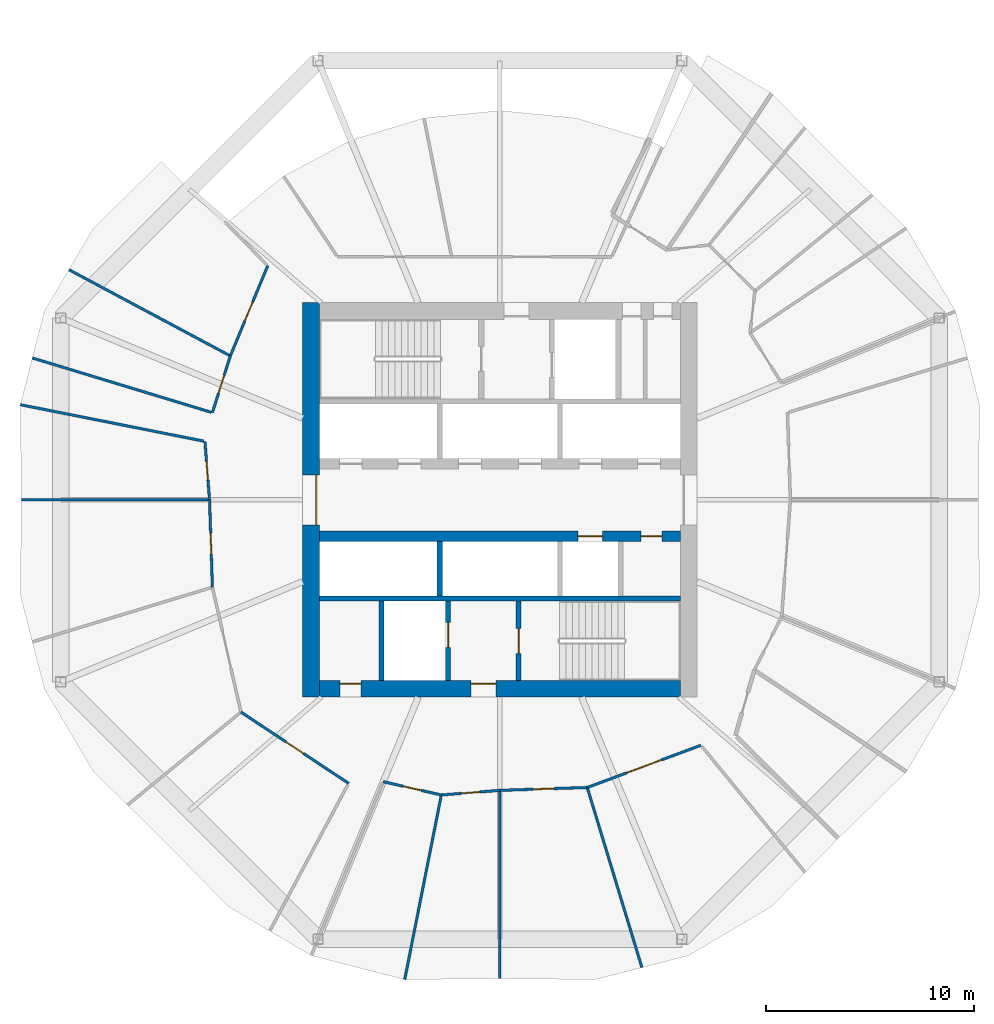
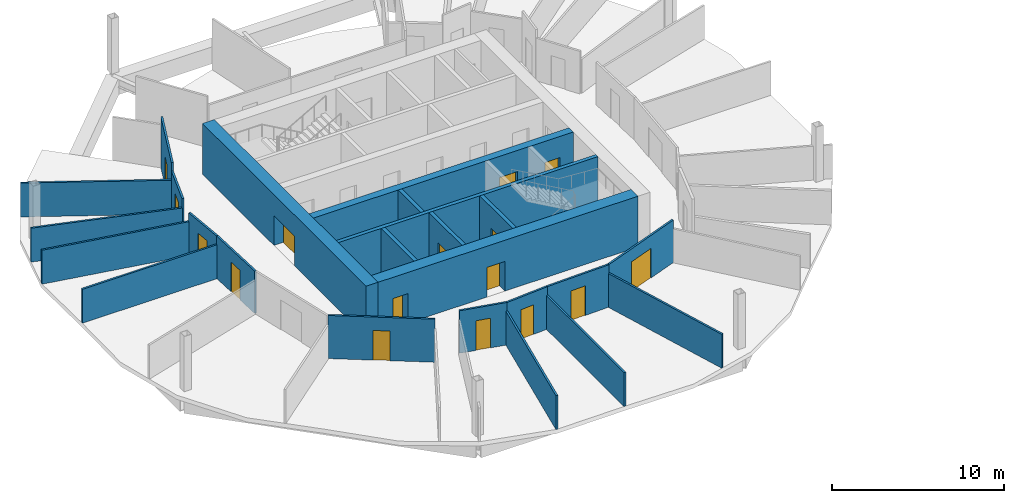
# One storey, part 4 of 10: 24 walls, 16 doors, 16 openings.
"""IFC4 building model written with IfcOpenShell, lengths in metres."""

from ifc_helpers import new_model, si_unit, direction, frame, frame_2d, origin, place, context, subcontext, project, spatial, rectangle, extrude, material, layer, layer_set, type_object, element, fill, save


model = new_model("IFC4")

# Units and contexts
model_context = context("Model", 3, precision=1e-05, world=origin(), true_north=direction((0.0, 1.0)))
body_context = subcontext(model_context, "Body", "Model", "MODEL_VIEW")
ifc_project = project(units=[si_unit("LENGTHUNIT", "METRE"), si_unit("AREAUNIT", "SQUARE_METRE"), si_unit("VOLUMEUNIT", "CUBIC_METRE"), si_unit("PLANEANGLEUNIT", "RADIAN"), si_unit("MASSUNIT", "GRAM", prefix="KILO")], contexts=[model_context])

# Site, building, storey
site_placement = place(None, origin())
site = spatial("IfcSite", under=ifc_project, at=site_placement, CompositionType="ELEMENT")
building_placement = place(site_placement, origin())
building = spatial("IfcBuilding", under=site, at=building_placement, Name="Ogive Gate Towers", CompositionType="ELEMENT")
storey_placement = place(building_placement, frame((0.0, 0.0, 59.699951171875)))
storey = spatial("IfcBuildingStorey", under=building, at=storey_placement, Name="L13", CompositionType="ELEMENT", Elevation=59.699951171875)

# Wall, openings, doors
ifc_material_1 = material(Name="Concrete C60/75", Category="concrete")
ifc_layer_1 = layer(ifc_material_1, 0.800048828125)
ifc_layer_set_1 = layer_set([ifc_layer_1], Name="Core wall 800 mm")
wall_type_1 = type_object("IfcWallType", Name="Core wall 800 mm", PredefinedType="SHEAR", material=ifc_layer_set_1)
wall_1_placement = place(storey_placement, frame((-44.699951171875, -9.10009765625, 0.0), z_axis=(0.0, 0.0, 1.0), x_axis=(1.0, 0.0, 0.0)))
wall_1 = element("IfcWall", 1, at=wall_1_placement, inside=storey, type_object=wall_type_1, Name="T1 L13 Core wall 800 mm", PredefinedType="SHEAR", context=body_context, shape_type="SweptSolid", body=[
    extrude(rectangle(XDim=17.39990234375, YDim=0.800048828125, at=frame_2d((8.699951171875, 0.0))), origin(), (0.0, 0.0, 1.0), 3.60009765625),
])
opening_1_placement = place(wall_1_placement, frame((7.300048828125, 0.0, 0.0)))
opening_1 = element("IfcOpeningElement", 2, at=opening_1_placement, cuts=wall_1, Name="Opening KD-T1-L13-16", PredefinedType="OPENING", context=body_context, shape_type="SweptSolid", body=[
    extrude(rectangle(XDim=1.199951171875, YDim=2.10009765625, at=frame_2d((0.60009765625, 1.050048828125))), frame((0.0, 0.41015625, 0.0), z_axis=(0.0, -1.0, 0.0), x_axis=(1.0, 0.0, 0.0)), (0.0, 0.0, 1.0), 0.820068359375),
])
opening_2_placement = place(wall_1_placement, frame((1.0, 0.0, 0.0)))
opening_2 = element("IfcOpeningElement", 3, at=opening_2_placement, cuts=wall_1, Name="Opening KD-T1-L13-19", PredefinedType="OPENING", context=body_context, shape_type="SweptSolid", body=[
    extrude(rectangle(XDim=1.0, YDim=2.10009765625, at=frame_2d((0.5, 1.050048828125))), frame((0.0, 0.41015625, 0.0), z_axis=(0.0, -1.0, 0.0), x_axis=(1.0, 0.0, 0.0)), (0.0, 0.0, 1.0), 0.820068359375),
])
ifc_material_2 = material(Name="Timber door", Category="wood")
door_type_1 = type_object("IfcDoorType", Name="Accessible WC door 1000 x 2100", OperationType="NOTDEFINED", PredefinedType="DOOR", material=ifc_material_2)
door_1_placement = place(opening_2_placement, origin())
door_1 = element("IfcDoor", 4, at=door_1_placement, inside=storey, type_object=door_type_1, Name="T1 L13 Core door", OperationType="SINGLE_SWING_RIGHT", OverallHeight=2.10009765625, OverallWidth=1.0, PredefinedType="DOOR", context=body_context, shape_type="SweptSolid", body=[
    extrude(rectangle(XDim=1.0, YDim=2.10009765625, at=frame_2d((0.5, 1.050048828125))), frame((0.0, 0.27490234375, 0.0), z_axis=(0.0, -1.0, 0.0), x_axis=(1.0, 0.0, 0.0)), (0.0, 0.0, 1.0), 0.050048828125),
])
fill(opening_2, door_1)
ifc_material_3 = material(Name="Steel fire door", Category="steel")
door_type_2 = type_object("IfcDoorType", Name="Core door FD60S 1200 x 2100", OperationType="NOTDEFINED", PredefinedType="DOOR", material=ifc_material_3)
door_2_placement = place(opening_1_placement, origin())
door_2 = element("IfcDoor", 5, at=door_2_placement, inside=storey, type_object=door_type_2, Name="T1 L13 Fire-fighting lobby door", OperationType="SINGLE_SWING_LEFT", OverallHeight=2.10009765625, OverallWidth=1.199951171875, PredefinedType="DOOR", context=body_context, shape_type="SweptSolid", body=[
    extrude(rectangle(XDim=1.199951171875, YDim=2.10009765625, at=frame_2d((0.60009765625, 1.050048828125))), frame((0.0, 0.27490234375, 0.0), z_axis=(0.0, -1.0, 0.0), x_axis=(1.0, 0.0, 0.0)), (0.0, 0.0, 1.0), 0.050048828125),
])
fill(opening_1, door_2)

# Wall, opening, door
wall_2_placement = place(storey_placement, frame((-45.10009765625, -9.5, 0.0), z_axis=(0.0, 0.0, 1.0), x_axis=(0.0, 1.0, 0.0)))
wall_2 = element("IfcWall", 6, at=wall_2_placement, inside=storey, type_object=wall_type_1, Name="T1 L13 Core wall 800 mm", PredefinedType="SHEAR", context=body_context, shape_type="SweptSolid", body=[
    extrude(rectangle(XDim=19.0, YDim=0.800048828125, at=frame_2d((9.5, 0.0))), origin(), (0.0, 0.0, 1.0), 3.60009765625),
])
opening_3_placement = place(wall_2_placement, frame((8.300048828125, 0.0, 0.0)))
opening_3 = element("IfcOpeningElement", 7, at=opening_3_placement, cuts=wall_2, Name="Opening KD-T1-L13-01", PredefinedType="OPENING", context=body_context, shape_type="SweptSolid", body=[
    extrude(rectangle(XDim=2.39990234375, YDim=2.10009765625, at=frame_2d((1.199951171875, 1.050048828125))), frame((0.0, 0.41015625, 0.0), z_axis=(0.0, -1.0, 0.0), x_axis=(1.0, 0.0, 0.0)), (0.0, 0.0, 1.0), 0.820068359375),
])
door_type_3 = type_object("IfcDoorType", Name="Core double door FD60S 2400 x 2100", OperationType="DOUBLE_DOOR_SINGLE_SWING", PredefinedType="DOOR", material=ifc_material_3)
door_3_placement = place(opening_3_placement, origin())
door_3 = element("IfcDoor", 8, at=door_3_placement, inside=storey, type_object=door_type_3, Name="T1 L13 Core door double", OperationType="DOUBLE_DOOR_SINGLE_SWING", OverallHeight=2.10009765625, OverallWidth=2.39990234375, PredefinedType="DOOR", context=body_context, shape_type="SweptSolid", body=[
    extrude(rectangle(XDim=2.39990234375, YDim=2.10009765625, at=frame_2d((1.199951171875, 1.050048828125))), frame((0.0, -0.22509765625, 0.0), z_axis=(0.0, -1.0, 0.0), x_axis=(1.0, 0.0, 0.0)), (0.0, 0.0, 1.0), 0.050048828125),
])
fill(opening_3, door_3)

# Walls
ifc_material_4 = material(Name="Gypsum board partition")
ifc_layer_2 = layer(ifc_material_4, 0.125)
ifc_layer_set_2 = layer_set([ifc_layer_2], Name="Partition 125")
wall_type_2 = type_object("IfcWallType", Name="Partition 125", PredefinedType="PARTITIONING", material=ifc_layer_set_2)
wall_3_placement = place(storey_placement, frame((-56.767578125, 11.09375, 0.0), z_axis=(0.0, 0.0, 1.0), x_axis=(0.882040161842, -0.471174227753, 0.0)))
element("IfcWall", 9, at=wall_3_placement, inside=storey, type_object=wall_type_2, Name="Partition T1-L13-013", PredefinedType="PARTITIONING", context=body_context, shape_type="SweptSolid", body=[
    extrude(rectangle(XDim=8.75634765625, YDim=0.125, at=frame_2d((4.378173828125, 0.0))), origin(), (0.0, 0.0, 1.0), 2.400146484375),
])
for number, where, z_axis, x_axis, name in (
    (10, (-58.529541015625, 6.840576171875, 0.0), (0.0, 0.0, 1.0), (0.956863756585, -0.290537005102, 0.0), "Partition T1-L13-014"),
    (11, (-59.1083984375, 4.5888671875, 0.0), (0.0, 0.0, 1.0), (0.980849776387, -0.194765798235, 0.0), "Partition T1-L13-015"),
):
    element("IfcWall", number, at=place(storey_placement, frame(where, z_axis=z_axis, x_axis=x_axis)), inside=storey, type_object=wall_type_2, Name=name, PredefinedType="PARTITIONING", context=body_context, shape_type="SweptSolid", body=[
        extrude(rectangle(XDim=9.00634765625, YDim=0.125, at=frame_2d((4.503173828125, 0.0))), origin(), (0.0, 0.0, 1.0), 2.400146484375),
    ])
wall_4_placement = place(storey_placement, frame((-59.05908203125, 0.0, 0.0), z_axis=(0.0, 0.0, 1.0), x_axis=(1.0, 0.0, 0.0)))
element("IfcWall", 12, at=wall_4_placement, inside=storey, type_object=wall_type_2, Name="Partition T1-L13-016", PredefinedType="PARTITIONING", context=body_context, shape_type="SweptSolid", body=[
    extrude(rectangle(XDim=9.006591796875, YDim=0.125, at=frame_2d((4.50341796875, 0.0))), origin(), (0.0, 0.0, 1.0), 2.400146484375),
])
wall_5_placement = place(storey_placement, frame((-40.5888671875, -23.1083984375, 0.0), z_axis=(0.0, 0.0, 1.0), x_axis=(0.194765798235, 0.980849776387, 0.0)))
element("IfcWall", 13, at=wall_5_placement, inside=storey, type_object=wall_type_2, Name="Partition T1-L13-021", PredefinedType="PARTITIONING", context=body_context, shape_type="SweptSolid", body=[
    extrude(rectangle(XDim=9.00634765625, YDim=0.125, at=frame_2d((4.503173828125, 0.0))), origin(), (0.0, 0.0, 1.0), 2.400146484375),
])
wall_6_placement = place(storey_placement, frame((-36.0, -23.05908203125, 0.0), z_axis=(0.0, 0.0, 1.0), x_axis=(0.0, 1.0, 0.0)))
element("IfcWall", 14, at=wall_6_placement, inside=storey, type_object=wall_type_2, Name="Partition T1-L13-022", PredefinedType="PARTITIONING", context=body_context, shape_type="SweptSolid", body=[
    extrude(rectangle(XDim=9.006591796875, YDim=0.125, at=frame_2d((4.50341796875, 0.0))), origin(), (0.0, 0.0, 1.0), 2.400146484375),
])
wall_7_placement = place(storey_placement, frame((-29.159423828125, -22.529541015625, 0.0), z_axis=(0.0, 0.0, 1.0), x_axis=(-0.290537005102, 0.956863756585, 0.0)))
element("IfcWall", 15, at=wall_7_placement, inside=storey, type_object=wall_type_2, Name="Partition T1-L13-023", PredefinedType="PARTITIONING", context=body_context, shape_type="SweptSolid", body=[
    extrude(rectangle(XDim=9.00634765625, YDim=0.125, at=frame_2d((4.503173828125, 0.0))), origin(), (0.0, 0.0, 1.0), 2.400146484375),
])

# Wall, opening, door
wall_8_placement = place(storey_placement, frame((-49.851806640625, 4.205810546875, 0.0), z_axis=(0.0, 0.0, 1.0), x_axis=(0.301082438892, 0.953598115031, 0.0)))
wall_8 = element("IfcWall", 16, at=wall_8_placement, inside=storey, type_object=wall_type_2, Name="Partition T1-L13-028", PredefinedType="PARTITIONING", context=body_context, shape_type="SweptSolid", body=[
    extrude(rectangle(XDim=2.86572265625, YDim=0.125, at=frame_2d((1.432861328125, 0.0))), origin(), (0.0, 0.0, 1.0), 3.010009765625),
])
opening_4_placement = place(wall_8_placement, frame((0.98291015625, 0.0, 0.0)))
opening_4 = element("IfcOpeningElement", 17, at=opening_4_placement, cuts=wall_8, Name="Opening T1-L13-D01", PredefinedType="OPENING", context=body_context, shape_type="SweptSolid", body=[
    extrude(rectangle(XDim=0.89990234375, YDim=2.10009765625, at=frame_2d((0.449951171875, 1.050048828125))), frame((0.0, 0.072509765625, 0.0), z_axis=(0.0, -1.0, 0.0), x_axis=(1.0, 0.0, 0.0)), (0.0, 0.0, 1.0), 0.14501953125),
])
door_type_4 = type_object("IfcDoorType", Name="Door 900", OperationType="NOTDEFINED", PredefinedType="DOOR", material=ifc_material_2)
door_4_placement = place(opening_4_placement, origin())
door_4 = element("IfcDoor", 18, at=door_4_placement, inside=storey, type_object=door_type_4, Name="Door T1-L13-D01", OperationType="SINGLE_SWING_LEFT", OverallHeight=2.10009765625, OverallWidth=0.89990234375, PredefinedType="DOOR", context=body_context, shape_type="SweptSolid", body=[
    extrude(rectangle(XDim=0.89990234375, YDim=2.10009765625, at=frame_2d((0.449951171875, 1.050048828125))), frame((0.0, 0.02490234375, 0.0), z_axis=(0.0, -1.0, 0.0), x_axis=(1.0, 0.0, 0.0)), (0.0, 0.0, 1.0), 0.050048828125),
])
fill(opening_4, door_4)

wall_9_placement = place(storey_placement, frame((-48.989013671875, 6.9384765625, 0.0), z_axis=(0.0, 0.0, 1.0), x_axis=(0.383118712988, 0.923699113217, 0.0)))
wall_9 = element("IfcWall", 19, at=wall_9_placement, inside=storey, type_object=wall_type_2, Name="Partition T1-L13-029", PredefinedType="PARTITIONING", context=body_context, shape_type="SweptSolid", body=[
    extrude(rectangle(XDim=4.7041015625, YDim=0.125, at=frame_2d((2.35205078125, 0.0))), origin(), (0.0, 0.0, 1.0), 3.60009765625),
])
opening_5_placement = place(wall_9_placement, frame((1.818115234375, 0.0, 0.0)))
opening_5 = element("IfcOpeningElement", 20, at=opening_5_placement, cuts=wall_9, Name="Opening T1-L13-D02", PredefinedType="OPENING", context=body_context, shape_type="SweptSolid", body=[
    extrude(rectangle(XDim=1.0, YDim=2.10009765625, at=frame_2d((0.5, 1.050048828125))), frame((0.0, 0.072509765625, 0.0), z_axis=(0.0, -1.0, 0.0), x_axis=(1.0, 0.0, 0.0)), (0.0, 0.0, 1.0), 0.14501953125),
])
door_type_5 = type_object("IfcDoorType", Name="Door 1000", OperationType="NOTDEFINED", PredefinedType="DOOR", material=ifc_material_2)
door_5_placement = place(opening_5_placement, origin())
door_5 = element("IfcDoor", 21, at=door_5_placement, inside=storey, type_object=door_type_5, Name="Door T1-L13-D02", OperationType="SINGLE_SWING_LEFT", OverallHeight=2.10009765625, OverallWidth=1.0, PredefinedType="DOOR", context=body_context, shape_type="SweptSolid", body=[
    extrude(rectangle(XDim=1.0, YDim=2.10009765625, at=frame_2d((0.5, 1.050048828125))), frame((0.0, 0.02490234375, 0.0), z_axis=(0.0, -1.0, 0.0), x_axis=(1.0, 0.0, 0.0)), (0.0, 0.0, 1.0), 0.050048828125),
])
fill(opening_5, door_5)

wall_10_placement = place(storey_placement, frame((-26.318359375, -11.818603515625, 0.0), z_axis=(0.0, 0.0, 1.0), x_axis=(-0.937463075603, -0.348084733765, 0.0)))
wall_10 = element("IfcWall", 22, at=wall_10_placement, inside=storey, type_object=wall_type_2, Name="Partition T1-L13-041", PredefinedType="PARTITIONING", context=body_context, shape_type="SweptSolid", body=[
    extrude(rectangle(XDim=5.841064453125, YDim=0.125, at=frame_2d((2.92041015625, 0.0))), origin(), (0.0, 0.0, 1.0), 3.010009765625),
])
opening_6_placement = place(wall_10_placement, frame((2.02099609375, 0.0, 0.0)))
opening_6 = element("IfcOpeningElement", 23, at=opening_6_placement, cuts=wall_10, Name="Opening T1-L13-D14", PredefinedType="OPENING", context=body_context, shape_type="SweptSolid", body=[
    extrude(rectangle(XDim=1.800048828125, YDim=2.10009765625, at=frame_2d((0.89990234375, 1.050048828125))), frame((0.0, 0.072509765625, 0.0), z_axis=(0.0, -1.0, 0.0), x_axis=(1.0, 0.0, 0.0)), (0.0, 0.0, 1.0), 0.14501953125),
])
door_type_6 = type_object("IfcDoorType", Name="Door pair 1800", OperationType="NOTDEFINED", PredefinedType="DOOR", material=ifc_material_2)
door_6_placement = place(opening_6_placement, origin())
door_6 = element("IfcDoor", 24, at=door_6_placement, inside=storey, type_object=door_type_6, Name="Door T1-L13-D14", OperationType="DOUBLE_DOOR_DOUBLE_SWING", OverallHeight=2.10009765625, OverallWidth=1.800048828125, PredefinedType="DOOR", context=body_context, shape_type="SweptSolid", body=[
    extrude(rectangle(XDim=1.800048828125, YDim=2.10009765625, at=frame_2d((0.89990234375, 1.050048828125))), frame((0.0, 0.02490234375, 0.0), z_axis=(0.0, -1.0, 0.0), x_axis=(1.0, 0.0, 0.0)), (0.0, 0.0, 1.0), 0.050048828125),
])
fill(opening_6, door_6)

wall_11_placement = place(storey_placement, frame((-31.794189453125, -13.851806640625, 0.0), z_axis=(0.0, 0.0, 1.0), x_axis=(-0.999460697883, -0.032837682417, 0.0)))
wall_11 = element("IfcWall", 25, at=wall_11_placement, inside=storey, type_object=wall_type_2, Name="Partition T1-L13-042", PredefinedType="PARTITIONING", context=body_context, shape_type="SweptSolid", body=[
    extrude(rectangle(XDim=4.2080078125, YDim=0.125, at=frame_2d((2.10400390625, 0.0))), origin(), (0.0, 0.0, 1.0), 3.0),
])
opening_7_placement = place(wall_11_placement, frame((1.60400390625, 0.0, 0.0)))
opening_7 = element("IfcOpeningElement", 26, at=opening_7_placement, cuts=wall_11, Name="Opening T1-L13-D15", PredefinedType="OPENING", context=body_context, shape_type="SweptSolid", body=[
    extrude(rectangle(XDim=1.0, YDim=2.10009765625, at=frame_2d((0.5, 1.050048828125))), frame((0.0, 0.072509765625, 0.0), z_axis=(0.0, -1.0, 0.0), x_axis=(1.0, 0.0, 0.0)), (0.0, 0.0, 1.0), 0.14501953125),
])
door_7_placement = place(opening_7_placement, origin())
door_7 = element("IfcDoor", 27, at=door_7_placement, inside=storey, type_object=door_type_5, Name="Door T1-L13-D15", OperationType="SINGLE_SWING_RIGHT", OverallHeight=2.10009765625, OverallWidth=1.0, PredefinedType="DOOR", context=body_context, shape_type="SweptSolid", body=[
    extrude(rectangle(XDim=1.0, YDim=2.10009765625, at=frame_2d((0.5, 1.050048828125))), frame((0.0, 0.02490234375, 0.0), z_axis=(0.0, -1.0, 0.0), x_axis=(1.0, 0.0, 0.0)), (0.0, 0.0, 1.0), 0.050048828125),
])
fill(opening_7, door_7)

wall_12_placement = place(storey_placement, frame((-36.0, -13.989990234375, 0.0), z_axis=(0.0, 0.0, 1.0), x_axis=(-0.996889418777, -0.078812985794, 0.0)))
wall_12 = element("IfcWall", 28, at=wall_12_placement, inside=storey, type_object=wall_type_2, Name="Partition T1-L13-043", PredefinedType="PARTITIONING", context=body_context, shape_type="SweptSolid", body=[
    extrude(rectangle(XDim=2.831298828125, YDim=0.125, at=frame_2d((1.41552734375, 0.0))), origin(), (0.0, 0.0, 1.0), 3.0),
])
opening_8_placement = place(wall_12_placement, frame((0.966064453125, 0.0, 0.0)))
opening_8 = element("IfcOpeningElement", 29, at=opening_8_placement, cuts=wall_12, Name="Opening T1-L13-D16", PredefinedType="OPENING", context=body_context, shape_type="SweptSolid", body=[
    extrude(rectangle(XDim=0.89990234375, YDim=2.10009765625, at=frame_2d((0.449951171875, 1.050048828125))), frame((0.0, 0.072509765625, 0.0), z_axis=(0.0, -1.0, 0.0), x_axis=(1.0, 0.0, 0.0)), (0.0, 0.0, 1.0), 0.14501953125),
])
door_8_placement = place(opening_8_placement, origin())
door_8 = element("IfcDoor", 30, at=door_8_placement, inside=storey, type_object=door_type_4, Name="Door T1-L13-D16", OperationType="SINGLE_SWING_LEFT", OverallHeight=2.10009765625, OverallWidth=0.89990234375, PredefinedType="DOOR", context=body_context, shape_type="SweptSolid", body=[
    extrude(rectangle(XDim=0.89990234375, YDim=2.10009765625, at=frame_2d((0.449951171875, 1.050048828125))), frame((0.0, 0.02490234375, 0.0), z_axis=(0.0, -1.0, 0.0), x_axis=(1.0, 0.0, 0.0)), (0.0, 0.0, 1.0), 0.050048828125),
])
fill(opening_8, door_8)

wall_13_placement = place(storey_placement, frame((-38.822509765625, -14.213134765625, 0.0), z_axis=(0.0, 0.0, 1.0), x_axis=(-0.974822088504, 0.22298407065, 0.0)))
wall_13 = element("IfcWall", 31, at=wall_13_placement, inside=storey, type_object=wall_type_2, Name="Partition T1-L13-044", PredefinedType="PARTITIONING", context=body_context, shape_type="SweptSolid", body=[
    extrude(rectangle(XDim=2.871826171875, YDim=0.125, at=frame_2d((1.43603515625, 0.0))), origin(), (0.0, 0.0, 1.0), 3.010009765625),
])
opening_9_placement = place(wall_13_placement, frame((0.986083984375, 0.0, 0.0)))
opening_9 = element("IfcOpeningElement", 32, at=opening_9_placement, cuts=wall_13, Name="Opening T1-L13-D17", PredefinedType="OPENING", context=body_context, shape_type="SweptSolid", body=[
    extrude(rectangle(XDim=0.89990234375, YDim=2.10009765625, at=frame_2d((0.449951171875, 1.050048828125))), frame((0.0, 0.072509765625, 0.0), z_axis=(0.0, -1.0, 0.0), x_axis=(1.0, 0.0, 0.0)), (0.0, 0.0, 1.0), 0.14501953125),
])
door_9_placement = place(opening_9_placement, origin())
door_9 = element("IfcDoor", 33, at=door_9_placement, inside=storey, type_object=door_type_4, Name="Door T1-L13-D17", OperationType="SINGLE_SWING_RIGHT", OverallHeight=2.10009765625, OverallWidth=0.89990234375, PredefinedType="DOOR", context=body_context, shape_type="SweptSolid", body=[
    extrude(rectangle(XDim=0.89990234375, YDim=2.10009765625, at=frame_2d((0.449951171875, 1.050048828125))), frame((0.0, 0.02490234375, 0.0), z_axis=(0.0, -1.0, 0.0), x_axis=(1.0, 0.0, 0.0)), (0.0, 0.0, 1.0), 0.050048828125),
])
fill(opening_9, door_9)

wall_14_placement = place(storey_placement, frame((-43.2919921875, -13.650390625, 0.0), z_axis=(0.0, 0.0, 1.0), x_axis=(-0.833978718183, 0.551796608922, 0.0)))
wall_14 = element("IfcWall", 34, at=wall_14_placement, inside=storey, type_object=wall_type_2, Name="Partition T1-L13-045", PredefinedType="PARTITIONING", context=body_context, shape_type="SweptSolid", body=[
    extrude(rectangle(XDim=6.21630859375, YDim=0.125, at=frame_2d((3.108154296875, 0.0))), origin(), (0.0, 0.0, 1.0), 3.050048828125),
])
opening_10_placement = place(wall_14_placement, frame((2.60791015625, 0.0, 0.0)))
opening_10 = element("IfcOpeningElement", 35, at=opening_10_placement, cuts=wall_14, Name="Opening T1-L13-D18", PredefinedType="OPENING", context=body_context, shape_type="SweptSolid", body=[
    extrude(rectangle(XDim=1.0, YDim=2.10009765625, at=frame_2d((0.5, 1.050048828125))), frame((0.0, 0.072509765625, 0.0), z_axis=(0.0, -1.0, 0.0), x_axis=(1.0, 0.0, 0.0)), (0.0, 0.0, 1.0), 0.14501953125),
])
door_10_placement = place(opening_10_placement, origin())
door_10 = element("IfcDoor", 36, at=door_10_placement, inside=storey, type_object=door_type_5, Name="Door T1-L13-D18", OperationType="SINGLE_SWING_LEFT", OverallHeight=2.10009765625, OverallWidth=1.0, PredefinedType="DOOR", context=body_context, shape_type="SweptSolid", body=[
    extrude(rectangle(XDim=1.0, YDim=2.10009765625, at=frame_2d((0.5, 1.050048828125))), frame((0.0, 0.02490234375, 0.0), z_axis=(0.0, -1.0, 0.0), x_axis=(1.0, 0.0, 0.0)), (0.0, 0.0, 1.0), 0.050048828125),
])
fill(opening_10, door_10)

wall_15_placement = place(storey_placement, frame((-49.851806640625, -4.205810546875, 0.0), z_axis=(0.0, 0.0, 1.0), x_axis=(-0.032837682417, 0.999460697883, 0.0)))
wall_15 = element("IfcWall", 37, at=wall_15_placement, inside=storey, type_object=wall_type_2, Name="Partition T1-L13-047", PredefinedType="PARTITIONING", context=body_context, shape_type="SweptSolid", body=[
    extrude(rectangle(XDim=4.2080078125, YDim=0.125, at=frame_2d((2.10400390625, 0.0))), origin(), (0.0, 0.0, 1.0), 3.0),
])
opening_11_placement = place(wall_15_placement, frame((1.60400390625, 0.0, 0.0)))
opening_11 = element("IfcOpeningElement", 38, at=opening_11_placement, cuts=wall_15, Name="Opening T1-L13-D20", PredefinedType="OPENING", context=body_context, shape_type="SweptSolid", body=[
    extrude(rectangle(XDim=1.0, YDim=2.10009765625, at=frame_2d((0.5, 1.050048828125))), frame((0.0, 0.072509765625, 0.0), z_axis=(0.0, -1.0, 0.0), x_axis=(1.0, 0.0, 0.0)), (0.0, 0.0, 1.0), 0.14501953125),
])
door_11_placement = place(opening_11_placement, origin())
door_11 = element("IfcDoor", 39, at=door_11_placement, inside=storey, type_object=door_type_5, Name="Door T1-L13-D20", OperationType="SINGLE_SWING_RIGHT", OverallHeight=2.10009765625, OverallWidth=1.0, PredefinedType="DOOR", context=body_context, shape_type="SweptSolid", body=[
    extrude(rectangle(XDim=1.0, YDim=2.10009765625, at=frame_2d((0.5, 1.050048828125))), frame((0.0, 0.02490234375, 0.0), z_axis=(0.0, -1.0, 0.0), x_axis=(1.0, 0.0, 0.0)), (0.0, 0.0, 1.0), 0.050048828125),
])
fill(opening_11, door_11)

wall_16_placement = place(storey_placement, frame((-49.989990234375, 0.0, 0.0), z_axis=(0.0, 0.0, 1.0), x_axis=(-0.078812985794, 0.996889418777, 0.0)))
wall_16 = element("IfcWall", 40, at=wall_16_placement, inside=storey, type_object=wall_type_2, Name="Partition T1-L13-048", PredefinedType="PARTITIONING", context=body_context, shape_type="SweptSolid", body=[
    extrude(rectangle(XDim=2.831298828125, YDim=0.125, at=frame_2d((1.41552734375, 0.0))), origin(), (0.0, 0.0, 1.0), 3.0),
])
opening_12_placement = place(wall_16_placement, frame((0.966064453125, 0.0, 0.0)))
opening_12 = element("IfcOpeningElement", 41, at=opening_12_placement, cuts=wall_16, Name="Opening T1-L13-D21", PredefinedType="OPENING", context=body_context, shape_type="SweptSolid", body=[
    extrude(rectangle(XDim=0.89990234375, YDim=2.10009765625, at=frame_2d((0.449951171875, 1.050048828125))), frame((0.0, 0.072509765625, 0.0), z_axis=(0.0, -1.0, 0.0), x_axis=(1.0, 0.0, 0.0)), (0.0, 0.0, 1.0), 0.14501953125),
])
door_12_placement = place(opening_12_placement, origin())
door_12 = element("IfcDoor", 42, at=door_12_placement, inside=storey, type_object=door_type_4, Name="Door T1-L13-D21", OperationType="SINGLE_SWING_RIGHT", OverallHeight=2.10009765625, OverallWidth=0.89990234375, PredefinedType="DOOR", context=body_context, shape_type="SweptSolid", body=[
    extrude(rectangle(XDim=0.89990234375, YDim=2.10009765625, at=frame_2d((0.449951171875, 1.050048828125))), frame((0.0, 0.02490234375, 0.0), z_axis=(0.0, -1.0, 0.0), x_axis=(1.0, 0.0, 0.0)), (0.0, 0.0, 1.0), 0.050048828125),
])
fill(opening_12, door_12)

# Walls
ifc_layer_3 = layer(ifc_material_1, 0.25)
ifc_layer_set_3 = layer_set([ifc_layer_3], Name="Shaft wall 250 mm")
wall_type_3 = type_object("IfcWallType", Name="Shaft wall 250 mm", PredefinedType="SHEAR", material=ifc_layer_set_3)
wall_17_placement = place(storey_placement, frame((-44.699951171875, -4.75, 0.0), z_axis=(0.0, 0.0, 1.0), x_axis=(1.0, 0.0, 0.0)))
element("IfcWall", 43, at=wall_17_placement, inside=storey, type_object=wall_type_3, Name="T1 L13 Shaft wall 250 mm", PredefinedType="SHEAR", context=body_context, shape_type="SweptSolid", body=[
    extrude(rectangle(XDim=17.39990234375, YDim=0.25, at=frame_2d((8.699951171875, 0.0))), origin(), (0.0, 0.0, 1.0), 3.60009765625),
])
wall_18_placement = place(storey_placement, frame((-41.699951171875, -8.699951171875, 0.0), z_axis=(0.0, 0.0, 1.0), x_axis=(0.0, 1.0, 0.0)))
element("IfcWall", 44, at=wall_18_placement, inside=storey, type_object=wall_type_3, Name="T1 L13 Shaft wall 250 mm", PredefinedType="SHEAR", context=body_context, shape_type="SweptSolid", body=[
    extrude(rectangle(XDim=3.824951171875, YDim=0.25, at=frame_2d((1.91259765625, 0.0))), origin(), (0.0, 0.0, 1.0), 3.60009765625),
])
wall_19_placement = place(storey_placement, frame((-38.89990234375, -4.625, 0.0), z_axis=(0.0, 0.0, 1.0), x_axis=(0.0, 1.0, 0.0)))
element("IfcWall", 45, at=wall_19_placement, inside=storey, type_object=wall_type_3, Name="T1 L13 Shaft wall 250 mm", PredefinedType="SHEAR", context=body_context, shape_type="SweptSolid", body=[
    extrude(rectangle(XDim=2.625, YDim=0.25, at=frame_2d((1.3125, 0.0))), origin(), (0.0, 0.0, 1.0), 3.60009765625),
])

# Wall, opening, door
wall_20_placement = place(storey_placement, frame((-38.5, -8.699951171875, 0.0), z_axis=(0.0, 0.0, 1.0), x_axis=(0.0, 1.0, 0.0)))
wall_20 = element("IfcWall", 46, at=wall_20_placement, inside=storey, type_object=wall_type_3, Name="T1 L13 Shaft wall 250 mm", PredefinedType="SHEAR", context=body_context, shape_type="SweptSolid", body=[
    extrude(rectangle(XDim=3.824951171875, YDim=0.25, at=frame_2d((1.91259765625, 0.0))), origin(), (0.0, 0.0, 1.0), 3.60009765625),
])
opening_13_placement = place(wall_20_placement, frame((1.60009765625, 0.0, 0.0)))
opening_13 = element("IfcOpeningElement", 47, at=opening_13_placement, cuts=wall_20, Name="Opening LD-T1-L13-11", PredefinedType="OPENING", context=body_context, shape_type="SweptSolid", body=[
    extrude(rectangle(XDim=1.199951171875, YDim=2.10009765625, at=frame_2d((0.60009765625, 1.050048828125))), frame((0.0, 0.135009765625, 0.0), z_axis=(0.0, -1.0, 0.0), x_axis=(1.0, 0.0, 0.0)), (0.0, 0.0, 1.0), 0.27001953125),
])
ifc_material_5 = material(Name="Stainless steel landing door", Category="steel")
door_type_7 = type_object("IfcDoorType", Name="Landing door 1200 x 2100", OperationType="SLIDING_TO_LEFT", PredefinedType="DOOR", material=ifc_material_5)
door_13_placement = place(opening_13_placement, origin())
door_13 = element("IfcDoor", 48, at=door_13_placement, inside=storey, type_object=door_type_7, Name="T1 L13 Lift landing door FF2", OperationType="SLIDING_TO_LEFT", OverallHeight=2.10009765625, OverallWidth=1.199951171875, PredefinedType="DOOR", context=body_context, shape_type="SweptSolid", body=[
    extrude(rectangle(XDim=1.199951171875, YDim=2.10009765625, at=frame_2d((0.60009765625, 1.050048828125))), frame((0.0, 0.02490234375, 0.0), z_axis=(0.0, -1.0, 0.0), x_axis=(1.0, 0.0, 0.0)), (0.0, 0.0, 1.0), 0.050048828125),
])
fill(opening_13, door_13)

wall_21_placement = place(storey_placement, frame((-35.10009765625, -8.699951171875, 0.0), z_axis=(0.0, 0.0, 1.0), x_axis=(0.0, 1.0, 0.0)))
wall_21 = element("IfcWall", 49, at=wall_21_placement, inside=storey, type_object=wall_type_3, Name="T1 L13 Shaft wall 250 mm", PredefinedType="SHEAR", context=body_context, shape_type="SweptSolid", body=[
    extrude(rectangle(XDim=3.824951171875, YDim=0.25, at=frame_2d((1.91259765625, 0.0))), origin(), (0.0, 0.0, 1.0), 3.60009765625),
])
opening_14_placement = place(wall_21_placement, frame((1.300048828125, 0.0, 0.0)))
opening_14 = element("IfcOpeningElement", 50, at=opening_14_placement, cuts=wall_21, Name="Opening KD-T1-L13-14", PredefinedType="OPENING", context=body_context, shape_type="SweptSolid", body=[
    extrude(rectangle(XDim=1.199951171875, YDim=2.10009765625, at=frame_2d((0.60009765625, 1.050048828125))), frame((0.0, 0.135009765625, 0.0), z_axis=(0.0, -1.0, 0.0), x_axis=(1.0, 0.0, 0.0)), (0.0, 0.0, 1.0), 0.27001953125),
])
door_14_placement = place(opening_14_placement, origin())
door_14 = element("IfcDoor", 51, at=door_14_placement, inside=storey, type_object=door_type_2, Name="T1 L13 Stair door", OperationType="SINGLE_SWING_LEFT", OverallHeight=2.10009765625, OverallWidth=1.199951171875, PredefinedType="DOOR", context=body_context, shape_type="SweptSolid", body=[
    extrude(rectangle(XDim=1.199951171875, YDim=2.10009765625, at=frame_2d((0.60009765625, 1.050048828125))), frame((0.0, 0.02490234375, 0.0), z_axis=(0.0, -1.0, 0.0), x_axis=(1.0, 0.0, 0.0)), (0.0, 0.0, 1.0), 0.050048828125),
])
fill(opening_14, door_14)

# Wall, openings, doors
ifc_layer_4 = layer(ifc_material_1, 0.5)
ifc_layer_set_4 = layer_set([ifc_layer_4], Name="Spine wall 500 mm")
wall_type_4 = type_object("IfcWallType", Name="Spine wall 500 mm", PredefinedType="SHEAR", material=ifc_layer_set_4)
wall_22_placement = place(storey_placement, frame((-44.699951171875, -1.75, 0.0), z_axis=(0.0, 0.0, 1.0), x_axis=(1.0, 0.0, 0.0)))
wall_22 = element("IfcWall", 52, at=wall_22_placement, inside=storey, type_object=wall_type_4, Name="T1 L13 Spine wall 500 mm", PredefinedType="SHEAR", context=body_context, shape_type="SweptSolid", body=[
    extrude(rectangle(XDim=17.39990234375, YDim=0.5, at=frame_2d((8.699951171875, 0.0))), origin(), (0.0, 0.0, 1.0), 3.60009765625),
])
opening_15_placement = place(wall_22_placement, frame((12.449951171875, 0.0, 0.0)))
opening_15 = element("IfcOpeningElement", 53, at=opening_15_placement, cuts=wall_22, Name="Opening LD-T1-L13-09", PredefinedType="OPENING", context=body_context, shape_type="SweptSolid", body=[
    extrude(rectangle(XDim=1.199951171875, YDim=2.10009765625, at=frame_2d((0.60009765625, 1.050048828125))), frame((0.0, 0.260009765625, 0.0), z_axis=(0.0, -1.0, 0.0), x_axis=(1.0, 0.0, 0.0)), (0.0, 0.0, 1.0), 0.52001953125),
])
opening_16_placement = place(wall_22_placement, frame((15.5, 0.0, 0.0)))
opening_16 = element("IfcOpeningElement", 54, at=opening_16_placement, cuts=wall_22, Name="Opening KD-T1-L13-12", PredefinedType="OPENING", context=body_context, shape_type="SweptSolid", body=[
    extrude(rectangle(XDim=1.0, YDim=2.10009765625, at=frame_2d((0.5, 1.050048828125))), frame((0.0, 0.260009765625, 0.0), z_axis=(0.0, -1.0, 0.0), x_axis=(1.0, 0.0, 0.0)), (0.0, 0.0, 1.0), 0.52001953125),
])
door_type_8 = type_object("IfcDoorType", Name="Core door FD60S 1000 x 2100", OperationType="NOTDEFINED", PredefinedType="DOOR", material=ifc_material_3)
door_15_placement = place(opening_16_placement, origin())
door_15 = element("IfcDoor", 55, at=door_15_placement, inside=storey, type_object=door_type_8, Name="T1 L13 Core door", OperationType="SINGLE_SWING_LEFT", OverallHeight=2.10009765625, OverallWidth=1.0, PredefinedType="DOOR", context=body_context, shape_type="SweptSolid", body=[
    extrude(rectangle(XDim=1.0, YDim=2.10009765625, at=frame_2d((0.5, 1.050048828125))), frame((0.0, 0.02490234375, 0.0), z_axis=(0.0, -1.0, 0.0), x_axis=(1.0, 0.0, 0.0)), (0.0, 0.0, 1.0), 0.050048828125),
])
fill(opening_16, door_15)
door_16_placement = place(opening_15_placement, origin())
door_16 = element("IfcDoor", 56, at=door_16_placement, inside=storey, type_object=door_type_7, Name="T1 L13 Lift landing door SVC", OperationType="SLIDING_TO_LEFT", OverallHeight=2.10009765625, OverallWidth=1.199951171875, PredefinedType="DOOR", context=body_context, shape_type="SweptSolid", body=[
    extrude(rectangle(XDim=1.199951171875, YDim=2.10009765625, at=frame_2d((0.60009765625, 1.050048828125))), frame((0.0, 0.02490234375, 0.0), z_axis=(0.0, -1.0, 0.0), x_axis=(1.0, 0.0, 0.0)), (0.0, 0.0, 1.0), 0.050048828125),
])
fill(opening_15, door_16)

save(model, "model.ifc")
